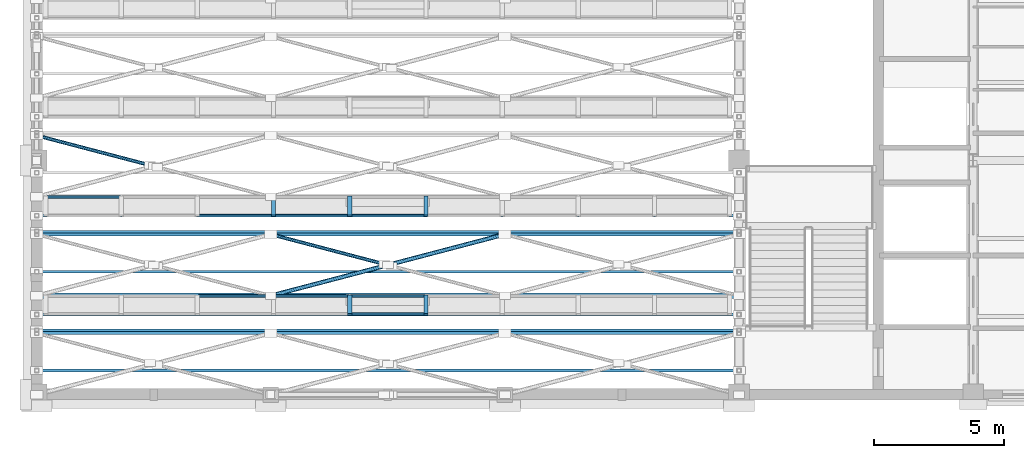
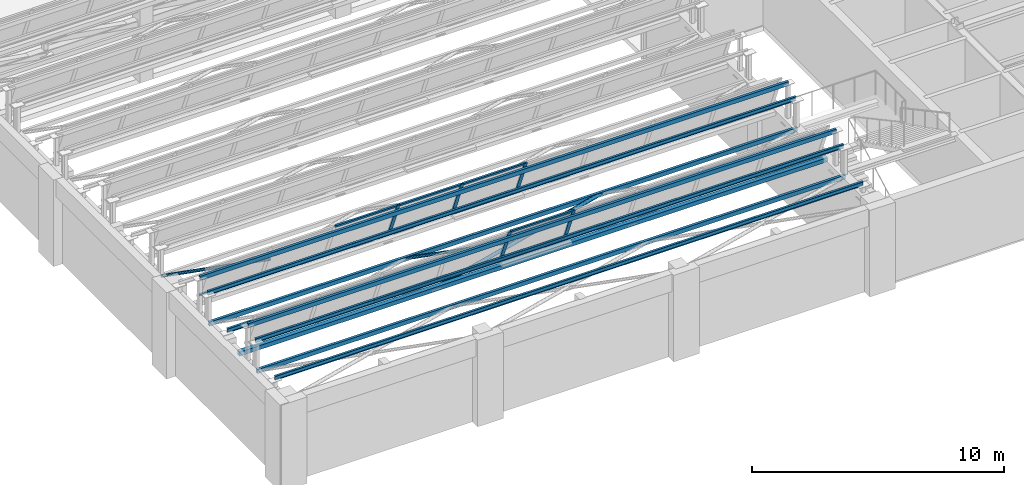
# One storey, part 16 of 108: 21 members, 4 beams, 2 elements without a shape of their own.
"""IFC4 building model written with IfcOpenShell, lengths in metres."""

from ifc_helpers import new_model, si_unit, direction, frame, origin, origin_2d, place, context, subcontext, project, spatial, hollow_rectangle, hollow_circle, i_section, extrude, material, material_profile, profile_set, type_object, element, aggregate, save


model = new_model("IFC4")

# Units and contexts
model_context = context("Model", 3, precision=1e-05, world=origin(), true_north=direction((0.0, 1.0)))
body_context = subcontext(model_context, "Body", "Model", "MODEL_VIEW")
ifc_project = project(units=[si_unit("LENGTHUNIT", "METRE"), si_unit("AREAUNIT", "SQUARE_METRE"), si_unit("VOLUMEUNIT", "CUBIC_METRE"), si_unit("PLANEANGLEUNIT", "RADIAN"), si_unit("MASSUNIT", "GRAM", prefix="KILO")], contexts=[model_context])

# Site, building, storey
site_placement = place(None, origin())
site = spatial("IfcSite", under=ifc_project, at=site_placement, CompositionType="ELEMENT")
building_placement = place(site_placement, origin())
building = spatial("IfcBuilding", under=site, at=building_placement, Name="Lykobir Media Centre", CompositionType="ELEMENT")
storey_placement = place(building_placement, frame((0.0, 0.0, 15.0)))
storey = spatial("IfcBuildingStorey", under=building, at=storey_placement, Name="L03", CompositionType="ELEMENT", Elevation=15.0)

# Members
ifc_material_1 = material(Name="Steel S355", Category="steel")
ifc_material_profile_1 = material_profile(ifc_material_1, hollow_circle(Radius=0.06982421875, WallThickness=0.008056640625, at=origin_2d()), Name="CHS 139.7x8.0")
ifc_profile_set_1 = profile_set([ifc_material_profile_1], Name="Steel S355")
member_type_1 = type_object("IfcMemberType", Name="BR-CHS140", PredefinedType="BRACE", material=ifc_profile_set_1)
for number, where, z_axis, x_axis, name in (
    (1, (13.364501953125, 5.01611328125, 3.840087890625), (-0.967253715929, 0.253811443834, 0.0), (-0.253811443834, -0.967253715929, 0.0), "Diagonal brace MEM2-L03-0134-0050-0188-0090-0062-0173"),
    (2, (4.364501953125, 8.816162109375, 3.840087890625), (-0.967266997824, 0.253760822274, 0.0), (-0.253760822274, -0.967266997824, 0.0), "Diagonal brace MEM2-L03-0044-0088-0188-0000-0100-0190"),
):
    element("IfcMember", number, at=place(storey_placement, frame(where, z_axis=z_axis, x_axis=x_axis)), inside=storey, type_object=member_type_1, Name=name, PredefinedType="BRACE", context=body_context, shape_type="SweptSolid", body=[
        extrude(hollow_circle(Radius=0.06982421875, WallThickness=0.008056640625, at=origin_2d()), origin(), (0.0, 0.0, 1.0), 4.51220703125),
    ])
ifc_material_profile_2 = material_profile(ifc_material_1, hollow_circle(Radius=0.084228515625, WallThickness=0.010009765625, at=origin_2d()), Name="CHS 168.3x10.0")
ifc_profile_set_2 = profile_set([ifc_material_profile_2], Name="Steel S355")
member_type_2 = type_object("IfcMemberType", Name="BR-CHS168", PredefinedType="BRACE", material=ifc_profile_set_2)
member_1_placement = place(storey_placement, frame((9.0, 3.800048828125, 3.840087890625), z_axis=(0.967261887678, 0.253780299957, 0.0), x_axis=(-0.253780299957, 0.967261887678, 0.0)))
element("IfcMember", 3, at=member_1_placement, inside=storey, type_object=member_type_2, Name="Diagonal brace MEM2-L03-0090-0038-0188-0180-0062-0171", PredefinedType="BRACE", context=body_context, shape_type="SweptSolid", body=[
    extrude(hollow_circle(Radius=0.084228515625, WallThickness=0.010009765625, at=origin_2d()), origin(), (0.0, 0.0, 1.0), 9.3046875),
])

# Curtain wall, members
ifc_material_2 = material(Name="Anodized Aluminium AW-6060", Category="aluminium")
curtain_wall_type = type_object("IfcCurtainWallType", Name="CW-NL-V1", PredefinedType="NOTDEFINED", material=ifc_material_2)
curtain_wall_1_placement = place(storey_placement, origin())
curtain_wall_1 = element("IfcCurtainWall", 4, at=curtain_wall_1_placement, inside=storey, type_object=curtain_wall_type, Name="Curtain wall CW-NL-V1-01", PredefinedType="NOTDEFINED")
ifc_material_profile_3 = material_profile(ifc_material_2, hollow_rectangle(XDim=0.070068359375, YDim=0.1650390625, WallThickness=0.00390625, at=origin_2d()), Name="ALU MULLION 70x165")
ifc_profile_set_3 = profile_set([ifc_material_profile_3], Name="Anodized Aluminium AW-6060")
member_type_3 = type_object("IfcMemberType", Name="CWM-165", PredefinedType="MULLION", material=ifc_profile_set_3)
member_2_placement = place(storey_placement, frame((12.03564453125, 3.800048828125, 4.199951171875), z_axis=(0.0, -0.374591377287, 0.927190002137), x_axis=(0.0, 0.927190002137, 0.374591377287)))
member_2 = element("IfcMember", 5, at=member_2_placement, type_object=member_type_3, Name="CW-NL-V1-01 mullion 5", PredefinedType="MULLION", context=body_context, shape_type="SweptSolid", body=[
    extrude(hollow_rectangle(XDim=0.070068359375, YDim=0.1650390625, WallThickness=0.00390625, at=origin_2d()), origin(), (0.0, 0.0, 1.0), 1.918701171875),
])
member_3_placement = place(storey_placement, frame((14.96435546875, 3.800048828125, 4.199951171875), z_axis=(0.0, -0.374591377287, 0.927190002137), x_axis=(0.0, 0.927190002137, 0.374591377287)))
member_3 = element("IfcMember", 6, at=member_3_placement, type_object=member_type_3, Name="CW-NL-V1-01 mullion 6", PredefinedType="MULLION", context=body_context, shape_type="SweptSolid", body=[
    extrude(hollow_rectangle(XDim=0.070068359375, YDim=0.1650390625, WallThickness=0.00390625, at=origin_2d()), origin(), (0.0, 0.0, 1.0), 1.918701171875),
])

curtain_wall_2_placement = place(storey_placement, origin())
curtain_wall_2 = element("IfcCurtainWall", 7, at=curtain_wall_2_placement, inside=storey, type_object=curtain_wall_type, Name="Curtain wall CW-NL-V1-02", PredefinedType="NOTDEFINED")
member_4_placement = place(storey_placement, frame((9.106689453125, 7.60009765625, 4.199951171875), z_axis=(0.0, -0.374700754386, 0.927145805504), x_axis=(0.0, 0.927145805504, 0.374700754386)))
member_4 = element("IfcMember", 8, at=member_4_placement, type_object=member_type_3, Name="CW-NL-V1-02 mullion 4", PredefinedType="MULLION", context=body_context, shape_type="SweptSolid", body=[
    extrude(hollow_rectangle(XDim=0.070068359375, YDim=0.1650390625, WallThickness=0.00390625, at=origin_2d()), origin(), (0.0, 0.0, 1.0), 1.9189453125),
])
member_5_placement = place(storey_placement, frame((12.03564453125, 7.60009765625, 4.199951171875), z_axis=(0.0, -0.374700754386, 0.927145805504), x_axis=(0.0, 0.927145805504, 0.374700754386)))
member_5 = element("IfcMember", 9, at=member_5_placement, type_object=member_type_3, Name="CW-NL-V1-02 mullion 5", PredefinedType="MULLION", context=body_context, shape_type="SweptSolid", body=[
    extrude(hollow_rectangle(XDim=0.070068359375, YDim=0.1650390625, WallThickness=0.00390625, at=origin_2d()), origin(), (0.0, 0.0, 1.0), 1.9189453125),
])
member_6_placement = place(storey_placement, frame((14.96435546875, 7.60009765625, 4.199951171875), z_axis=(0.0, -0.374700754386, 0.927145805504), x_axis=(0.0, 0.927145805504, 0.374700754386)))
member_6 = element("IfcMember", 10, at=member_6_placement, type_object=member_type_3, Name="CW-NL-V1-02 mullion 6", PredefinedType="MULLION", context=body_context, shape_type="SweptSolid", body=[
    extrude(hollow_rectangle(XDim=0.070068359375, YDim=0.1650390625, WallThickness=0.00390625, at=origin_2d()), origin(), (0.0, 0.0, 1.0), 1.9189453125),
])

# Member
ifc_material_profile_4 = material_profile(ifc_material_2, hollow_rectangle(XDim=0.070068359375, YDim=0.135009765625, WallThickness=0.00341796875, at=origin_2d()), Name="ALU TRANSOM 70x135")
ifc_profile_set_4 = profile_set([ifc_material_profile_4], Name="Anodized Aluminium AW-6060")
member_type_4 = type_object("IfcMemberType", Name="CWT-135", PredefinedType="USERDEFINED", material=ifc_profile_set_4)
member_7_placement = place(storey_placement, frame((6.212890625, 3.786865234375, 4.232421875), z_axis=(1.0, 0.0, 0.0), x_axis=(0.0, 0.927183854567, 0.374606593416)))
member_7 = element("IfcMember", 11, at=member_7_placement, type_object=member_type_4, Name="CW-NL-V1-01 transom 3.1", ObjectType="TRANSOM", PredefinedType="USERDEFINED", context=body_context, shape_type="SweptSolid", body=[
    extrude(hollow_rectangle(XDim=0.070068359375, YDim=0.135009765625, WallThickness=0.00341796875, at=origin_2d()), origin(), (0.0, 0.0, 1.0), 2.85888671875),
])

member_8_placement = place(storey_placement, frame((9.1416015625, 3.786865234375, 4.232421875), z_axis=(1.0, 0.0, 0.0), x_axis=(0.0, 0.927183854567, 0.374606593416)))
member_8 = element("IfcMember", 12, at=member_8_placement, type_object=member_type_4, Name="CW-NL-V1-01 transom 4.1", ObjectType="TRANSOM", PredefinedType="USERDEFINED", context=body_context, shape_type="SweptSolid", body=[
    extrude(hollow_rectangle(XDim=0.070068359375, YDim=0.135009765625, WallThickness=0.00341796875, at=origin_2d()), origin(), (0.0, 0.0, 1.0), 2.85888671875),
])

member_9_placement = place(storey_placement, frame((12.070556640625, 3.786865234375, 4.232421875), z_axis=(1.0, 0.0, 0.0), x_axis=(0.0, 0.927183854567, 0.374606593416)))
member_9 = element("IfcMember", 13, at=member_9_placement, type_object=member_type_4, Name="CW-NL-V1-01 transom 5.1", ObjectType="TRANSOM", PredefinedType="USERDEFINED", context=body_context, shape_type="SweptSolid", body=[
    extrude(hollow_rectangle(XDim=0.070068359375, YDim=0.135009765625, WallThickness=0.00341796875, at=origin_2d()), origin(), (0.0, 0.0, 1.0), 2.85888671875),
])

member_10_placement = place(storey_placement, frame((12.070556640625, 3.094482421875, 5.946533203125), z_axis=(1.0, 0.0, 0.0), x_axis=(0.0, 0.927183854567, 0.374606593416)))
member_10 = element("IfcMember", 14, at=member_10_placement, type_object=member_type_4, Name="CW-NL-V1-01 transom 5.2", ObjectType="TRANSOM", PredefinedType="USERDEFINED", context=body_context, shape_type="SweptSolid", body=[
    extrude(hollow_rectangle(XDim=0.070068359375, YDim=0.135009765625, WallThickness=0.00341796875, at=origin_2d()), origin(), (0.0, 0.0, 1.0), 2.85888671875),
])

aggregate(curtain_wall_1, [member_2, member_3, member_7, member_8, member_9, member_10])

member_11_placement = place(storey_placement, frame((0.389892578125, 7.5869140625, 4.232421875), z_axis=(1.0, 0.0, 0.0), x_axis=(0.0, 0.927183854567, 0.374606593416)))
member_11 = element("IfcMember", 15, at=member_11_placement, type_object=member_type_4, Name="CW-NL-V1-02 transom 1.1", ObjectType="TRANSOM", PredefinedType="USERDEFINED", context=body_context, shape_type="SweptSolid", body=[
    extrude(hollow_rectangle(XDim=0.070068359375, YDim=0.135009765625, WallThickness=0.00341796875, at=origin_2d()), origin(), (0.0, 0.0, 1.0), 2.823974609375),
])

member_12_placement = place(storey_placement, frame((6.212890625, 6.894287109375, 5.946533203125), z_axis=(1.0, 0.0, 0.0), x_axis=(0.0, 0.927183854567, 0.374606593416)))
member_12 = element("IfcMember", 16, at=member_12_placement, type_object=member_type_4, Name="CW-NL-V1-02 transom 3.2", ObjectType="TRANSOM", PredefinedType="USERDEFINED", context=body_context, shape_type="SweptSolid", body=[
    extrude(hollow_rectangle(XDim=0.070068359375, YDim=0.135009765625, WallThickness=0.00341796875, at=origin_2d()), origin(), (0.0, 0.0, 1.0), 2.85888671875),
])

member_13_placement = place(storey_placement, frame((9.1416015625, 6.894287109375, 5.946533203125), z_axis=(1.0, 0.0, 0.0), x_axis=(0.0, 0.927183854567, 0.374606593416)))
member_13 = element("IfcMember", 17, at=member_13_placement, type_object=member_type_4, Name="CW-NL-V1-02 transom 4.2", ObjectType="TRANSOM", PredefinedType="USERDEFINED", context=body_context, shape_type="SweptSolid", body=[
    extrude(hollow_rectangle(XDim=0.070068359375, YDim=0.135009765625, WallThickness=0.00341796875, at=origin_2d()), origin(), (0.0, 0.0, 1.0), 2.85888671875),
])

member_14_placement = place(storey_placement, frame((12.070556640625, 6.894287109375, 5.946533203125), z_axis=(1.0, 0.0, 0.0), x_axis=(0.0, 0.927183854567, 0.374606593416)))
member_14 = element("IfcMember", 18, at=member_14_placement, type_object=member_type_4, Name="CW-NL-V1-02 transom 5.2", ObjectType="TRANSOM", PredefinedType="USERDEFINED", context=body_context, shape_type="SweptSolid", body=[
    extrude(hollow_rectangle(XDim=0.070068359375, YDim=0.135009765625, WallThickness=0.00341796875, at=origin_2d()), origin(), (0.0, 0.0, 1.0), 2.85888671875),
])

aggregate(curtain_wall_2, [member_4, member_5, member_6, member_11, member_12, member_13, member_14])

# Beams
ifc_material_profile_5 = material_profile(ifc_material_1, i_section(OverallWidth=0.10009765625, OverallDepth=0.199951171875, WebThickness=0.005615234375, FlangeThickness=0.008544921875, at=origin_2d()), Name="IPE 200")
ifc_profile_set_5 = profile_set([ifc_material_profile_5], Name="Steel S355")
beam_type = type_object("IfcBeamType", Name="PR-IPE200", PredefinedType="JOIST", material=ifc_profile_set_5)
for number, where, z_axis, x_axis, name in (
    (19, (0.0, 0.92724609375, 4.372802734375), (1.0, 0.0, 0.0), (0.0, 1.0, 0.0), "Beam BM-L03-0000-0009-0270-0009-1937"),
    (20, (0.0, 2.468017578125, 5.26220703125), (1.0, 0.0, 0.0), (0.0, 1.0, 0.0), "Beam BM-L03-0000-0025-0270-0025-2026"),
    (21, (0.0, 4.727294921875, 4.372802734375), (1.0, 0.0, 0.0), (0.0, 1.0, 0.0), "Beam BM-L03-0000-0047-0270-0047-1937"),
    (22, (0.0, 6.267822265625, 5.26220703125), (1.0, 0.0, 0.0), (0.0, 1.0, 0.0), "Beam BM-L03-0000-0063-0270-0063-2026"),
):
    element("IfcBeam", number, at=place(storey_placement, frame(where, z_axis=z_axis, x_axis=x_axis)), inside=storey, type_object=beam_type, Name=name, PredefinedType="JOIST", context=body_context, shape_type="SweptSolid", body=[
        extrude(i_section(OverallWidth=0.10009765625, OverallDepth=0.199951171875, WebThickness=0.005615234375, FlangeThickness=0.008544921875, at=origin_2d()), origin(), (0.0, 0.0, 1.0), 27.0),
    ])

# Members
ifc_material_profile_6 = material_profile(ifc_material_1, hollow_rectangle(XDim=0.1201171875, YDim=0.199951171875, WallThickness=0.010009765625, at=origin_2d()), Name="RHS 200x120x10")
ifc_profile_set_6 = profile_set([ifc_material_profile_6], Name="Steel S355")
member_type_5 = type_object("IfcMemberType", Name="TC-RHS200", PredefinedType="CHORD", material=ifc_profile_set_6)
for number, where, z_axis, x_axis, name in (
    (23, (0.0, 3.081298828125, 5.62890625), (1.0, 0.0, 0.0), (0.0, 1.0, 0.0), "Truss chord MEM2-L03-0000-0031-0206-0270-0031-0146"),
    (24, (0.0, 2.361328125, 3.840087890625), (1.0, 0.0, 0.0), (0.0, 1.0, 0.0), "Truss chord MEM2-L03-0000-0024-0188-0270-0024-0147"),
    (25, (0.0, 6.88134765625, 5.62890625), (1.0, 0.0, 0.0), (0.0, 1.0, 0.0), "Truss chord MEM2-L03-0000-0069-0206-0270-0069-0166"),
    (26, (0.0, 6.161376953125, 3.840087890625), (1.0, 0.0, 0.0), (0.0, 1.0, 0.0), "Truss chord MEM2-L03-0000-0062-0188-0270-0062-0167"),
):
    element("IfcMember", number, at=place(storey_placement, frame(where, z_axis=z_axis, x_axis=x_axis)), inside=storey, type_object=member_type_5, Name=name, PredefinedType="CHORD", context=body_context, shape_type="SweptSolid", body=[
        extrude(hollow_rectangle(XDim=0.1201171875, YDim=0.199951171875, WallThickness=0.010009765625, at=origin_2d()), origin(), (0.0, 0.0, 1.0), 27.0),
    ])
ifc_material_profile_7 = material_profile(ifc_material_1, hollow_rectangle(XDim=0.199951171875, YDim=0.199951171875, WallThickness=0.010009765625, at=origin_2d()), Name="SHS 200x200x10")
ifc_profile_set_7 = profile_set([ifc_material_profile_7], Name="Steel S355")
member_type_6 = type_object("IfcMemberType", Name="TC-SHS200", PredefinedType="CHORD", material=ifc_profile_set_7)
member_15_placement = place(storey_placement, frame((0.0, 3.800048828125, 3.840087890625), z_axis=(1.0, 0.0, 0.0), x_axis=(0.0, 1.0, 0.0)))
element("IfcMember", 27, at=member_15_placement, inside=storey, type_object=member_type_6, Name="Truss chord MEM2-L03-0000-0038-0188-0270-0038-0161", PredefinedType="CHORD", context=body_context, shape_type="SweptSolid", body=[
    extrude(hollow_rectangle(XDim=0.199951171875, YDim=0.199951171875, WallThickness=0.010009765625, at=origin_2d()), origin(), (0.0, 0.0, 1.0), 27.0),
])

save(model, "model.ifc")
